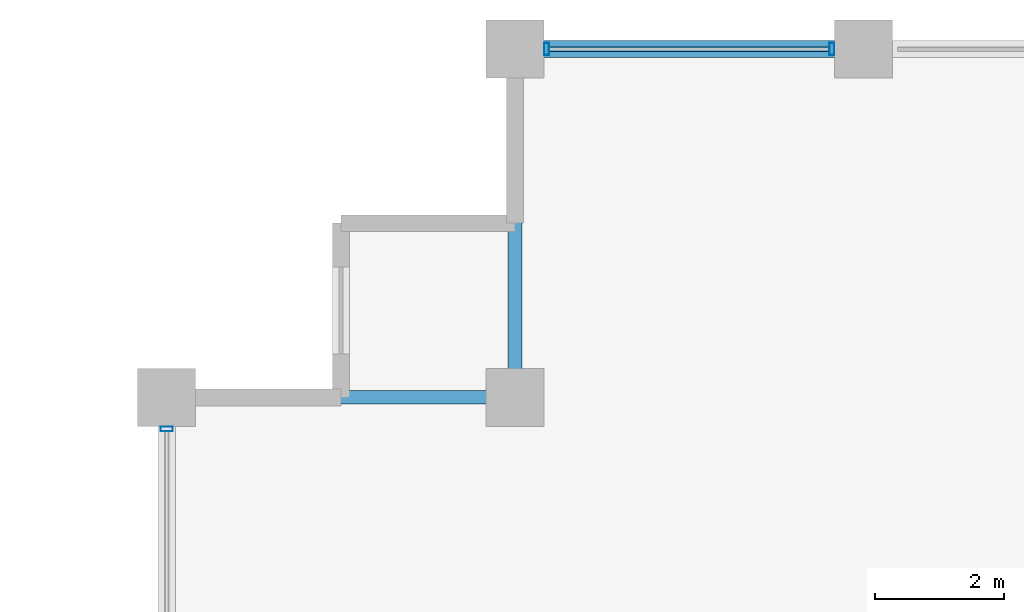
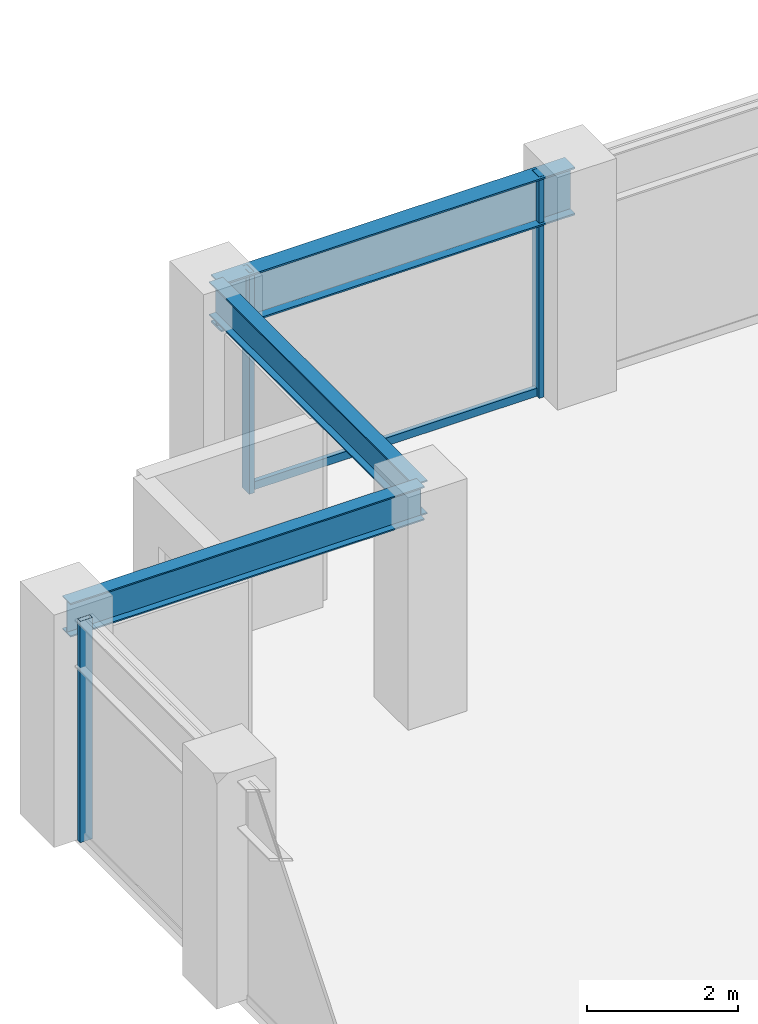
# One storey, part 15 of 28: 4 members, 3 beams, 2 elements without a shape of their own.
"""IFC4 building model written with IfcOpenShell, lengths in metres."""

from ifc_helpers import new_model, si_unit, direction, frame, origin, origin_2d, place, context, subcontext, project, spatial, hollow_rectangle, i_section, extrude, material, layer, layer_set, material_profile, profile_set, type_object, element, aggregate, save


model = new_model("IFC4")

# Units and contexts
model_context = context("Model", 3, precision=1e-05, world=origin(), true_north=direction((0.0, 1.0)))
body_context = subcontext(model_context, "Body", "Model", "MODEL_VIEW")
ifc_project = project(units=[si_unit("LENGTHUNIT", "METRE"), si_unit("AREAUNIT", "SQUARE_METRE"), si_unit("VOLUMEUNIT", "CUBIC_METRE"), si_unit("PLANEANGLEUNIT", "RADIAN"), si_unit("MASSUNIT", "GRAM", prefix="KILO")], contexts=[model_context])

# Site, building, storey
site_placement = place(None, origin())
site = spatial("IfcSite", under=ifc_project, at=site_placement, CompositionType="ELEMENT")
building_placement = place(site_placement, origin())
building = spatial("IfcBuilding", under=site, at=building_placement, Name="Surkhivell Harbour Commons", CompositionType="ELEMENT")
storey_placement = place(building_placement, frame((0.0, 0.0, 174.75)))
storey = spatial("IfcBuildingStorey", under=building, at=storey_placement, Name="L45", CompositionType="ELEMENT", Elevation=174.75)

# Beams
ifc_material_1 = material(Name="Steel S355", Category="steel")
ifc_material_profile_1 = material_profile(ifc_material_1, i_section(OverallWidth=0.2119140625, OverallDepth=0.5439453125, WebThickness=0.0126953125, FlangeThickness=0.021240234375, at=origin_2d()), Name="UB533x210x122")
ifc_profile_set_1 = profile_set([ifc_material_profile_1], Name="Steel S355")
beam_type_1 = type_object("IfcBeamType", Name="BM-GRD-533A", PredefinedType="BEAM", material=ifc_profile_set_1)
for number, where, z_axis, x_axis, name in (
    (1, (-27.0, 20.5, 3.298095703125), (1.0, 0.0, 0.0), (0.0, 1.0, 0.0), "L45 Floor Girder (-27.0,20.5)"),
    (2, (-21.60009765625, 20.5, 3.298095703125), (0.0, 1.0, 0.0), (-1.0, 0.0, 0.0), "L45 Floor Girder (-21.6,20.5)"),
):
    element("IfcBeam", number, at=place(storey_placement, frame(where, z_axis=z_axis, x_axis=x_axis)), inside=storey, type_object=beam_type_1, Name=name, PredefinedType="BEAM", context=body_context, shape_type="SweptSolid", body=[
        extrude(i_section(OverallWidth=0.2119140625, OverallDepth=0.5439453125, WebThickness=0.0126953125, FlangeThickness=0.021240234375, at=origin_2d()), origin(), (0.0, 0.0, 1.0), 5.39990234375),
    ])
ifc_material_profile_2 = material_profile(ifc_material_1, i_section(OverallWidth=0.26806640625, OverallDepth=0.77001953125, WebThickness=0.015625, FlangeThickness=0.025390625, at=origin_2d()), Name="UB762x267x197")
ifc_profile_set_2 = profile_set([ifc_material_profile_2], Name="Steel S355")
beam_type_2 = type_object("IfcBeamType", Name="BM-SPN-762", PredefinedType="SPANDREL", material=ifc_profile_set_2)
beam_placement = place(storey_placement, frame((-21.60009765625, 25.89990234375, 3.18505859375), z_axis=(1.0, 0.0, 0.0), x_axis=(0.0, 1.0, 0.0)))
element("IfcBeam", 3, at=beam_placement, inside=storey, type_object=beam_type_2, Name="L45 Tube Spandrel (-21.6,25.9)", PredefinedType="SPANDREL", context=body_context, shape_type="SweptSolid", body=[
    extrude(i_section(OverallWidth=0.26806640625, OverallDepth=0.77001953125, WebThickness=0.015625, FlangeThickness=0.025390625, at=origin_2d()), origin(), (0.0, 0.0, 1.0), 5.400146484375),
])

# Curtain wall, members
ifc_material_2 = material(Name="Anodised pale-metal aluminium and insulated glazing", Category="aluminium")
ifc_layer = layer(ifc_material_2, 0.18994140625)
ifc_layer_set = layer_set([ifc_layer], Name="Anodised pale-metal aluminium and insulated glazing")
curtain_wall_type = type_object("IfcCurtainWallType", Name="CW-SYS-Z3", PredefinedType="NOTDEFINED", material=ifc_layer_set)
curtain_wall_1_placement = place(storey_placement, origin())
curtain_wall_1 = element("IfcCurtainWall", 4, at=curtain_wall_1_placement, inside=storey, type_object=curtain_wall_type, Name="L45 Curtain Wall CW-L45-E07S2", PredefinedType="NOTDEFINED")
ifc_material_3 = material(Name="Anodised pale-metal aluminium alloy 6063-T6", Category="aluminium")
ifc_material_profile_3 = material_profile(ifc_material_3, hollow_rectangle(XDim=0.074951171875, YDim=0.18994140625, WallThickness=0.00390625, at=origin_2d()), Name="ALU-MULL-75x190")
ifc_profile_set_3 = profile_set([ifc_material_profile_3], Name="Anodised pale-metal aluminium alloy 6063-T6")
member_type_1 = type_object("IfcMemberType", Name="CWM-190", PredefinedType="MULLION", material=ifc_profile_set_3)
member_1_placement = place(storey_placement, frame((-16.689453125, 25.89990234375, 0.0), z_axis=(0.0, 0.0, 1.0), x_axis=(-1.0, 0.0, 0.0)))
member_1 = element("IfcMember", 5, at=member_1_placement, type_object=member_type_1, Name="CW-Z3 mullion 3", PredefinedType="MULLION", context=body_context, shape_type="SweptSolid", body=[
    extrude(hollow_rectangle(XDim=0.074951171875, YDim=0.18994140625, WallThickness=0.00390625, at=origin_2d()), origin(), (0.0, 0.0, 1.0), 3.570068359375),
])
member_2_placement = place(storey_placement, frame((-21.110595703125, 25.89990234375, 0.0), z_axis=(0.0, 0.0, 1.0), x_axis=(-1.0, 0.0, 0.0)))
member_2 = element("IfcMember", 6, at=member_2_placement, type_object=member_type_1, Name="CW-Z3 mullion 4", PredefinedType="MULLION", context=body_context, shape_type="SweptSolid", body=[
    extrude(hollow_rectangle(XDim=0.074951171875, YDim=0.18994140625, WallThickness=0.00390625, at=origin_2d()), origin(), (0.0, 0.0, 1.0), 3.570068359375),
])

# Curtain wall, member
curtain_wall_2_placement = place(storey_placement, origin())
curtain_wall_2 = element("IfcCurtainWall", 7, at=curtain_wall_2_placement, inside=storey, type_object=curtain_wall_type, Name="L45 Curtain Wall CW-L45-E12R2", PredefinedType="NOTDEFINED")
member_3_placement = place(storey_placement, frame((-27.0, 20.010498046875, 0.0), z_axis=(0.0, 0.0, 1.0), x_axis=(0.0, 1.0, 0.0)))
member_3 = element("IfcMember", 8, at=member_3_placement, type_object=member_type_1, Name="CW-Z3 mullion 4", PredefinedType="MULLION", context=body_context, shape_type="SweptSolid", body=[
    extrude(hollow_rectangle(XDim=0.074951171875, YDim=0.18994140625, WallThickness=0.00390625, at=origin_2d()), origin(), (0.0, 0.0, 1.0), 3.570068359375),
])
aggregate(curtain_wall_2, [member_3])

# Member
ifc_material_4 = material(Name="Champagne anodised aluminium alloy 6063-T6", Category="aluminium")
ifc_material_profile_4 = material_profile(ifc_material_4, hollow_rectangle(XDim=0.070068359375, YDim=0.1298828125, WallThickness=0.00341796875, at=origin_2d()), Name="ALU-TRAN-70x130")
ifc_profile_set_4 = profile_set([ifc_material_profile_4], Name="Champagne anodised aluminium alloy 6063-T6")
member_type_2 = type_object("IfcMemberType", Name="CWT-130", PredefinedType="USERDEFINED", material=ifc_profile_set_4)
member_4_placement = place(storey_placement, frame((-16.72705078125, 25.89990234375, 0.06494140625), z_axis=(-1.0, 0.0, 0.0), x_axis=(0.0, -1.0, 0.0)))
member_4 = element("IfcMember", 9, at=member_4_placement, type_object=member_type_2, Name="CW-Z3 transom 3.1", ObjectType="TRANSOM", PredefinedType="USERDEFINED", context=body_context, shape_type="SweptSolid", body=[
    extrude(hollow_rectangle(XDim=0.070068359375, YDim=0.1298828125, WallThickness=0.00341796875, at=origin_2d()), origin(), (0.0, 0.0, 1.0), 4.345947265625),
])

aggregate(curtain_wall_1, [member_1, member_2, member_4])

save(model, "model.ifc")
